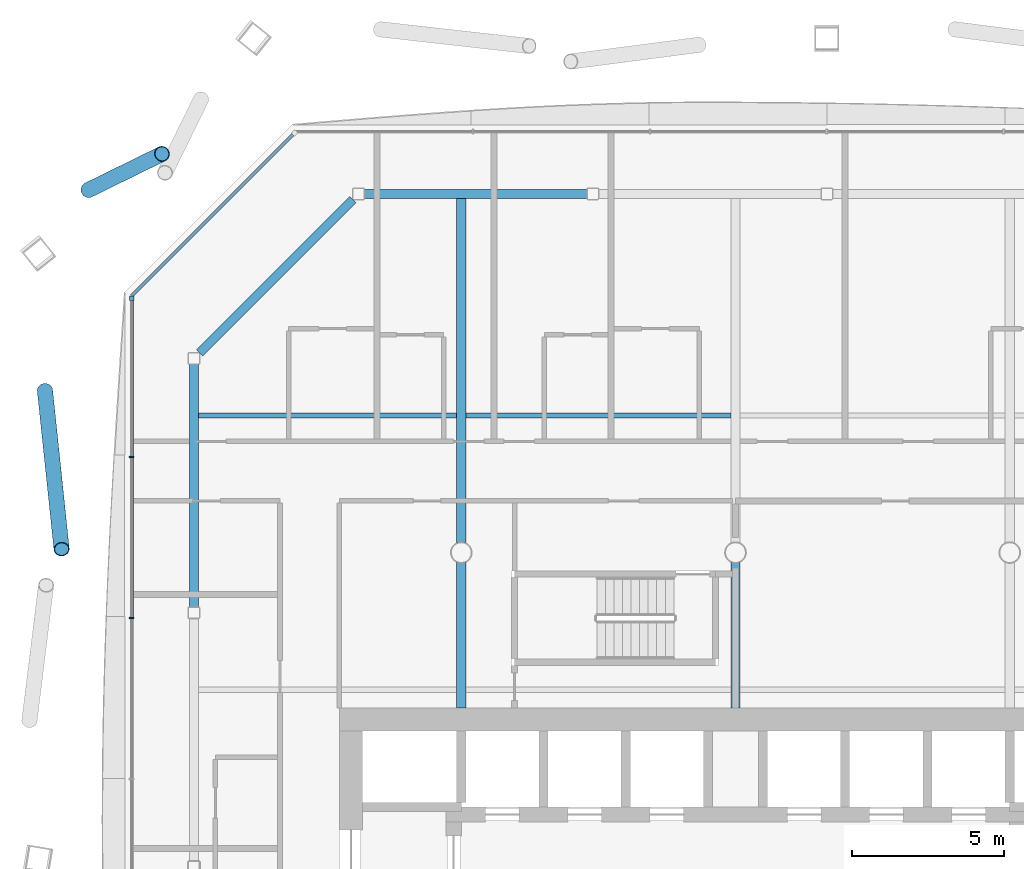
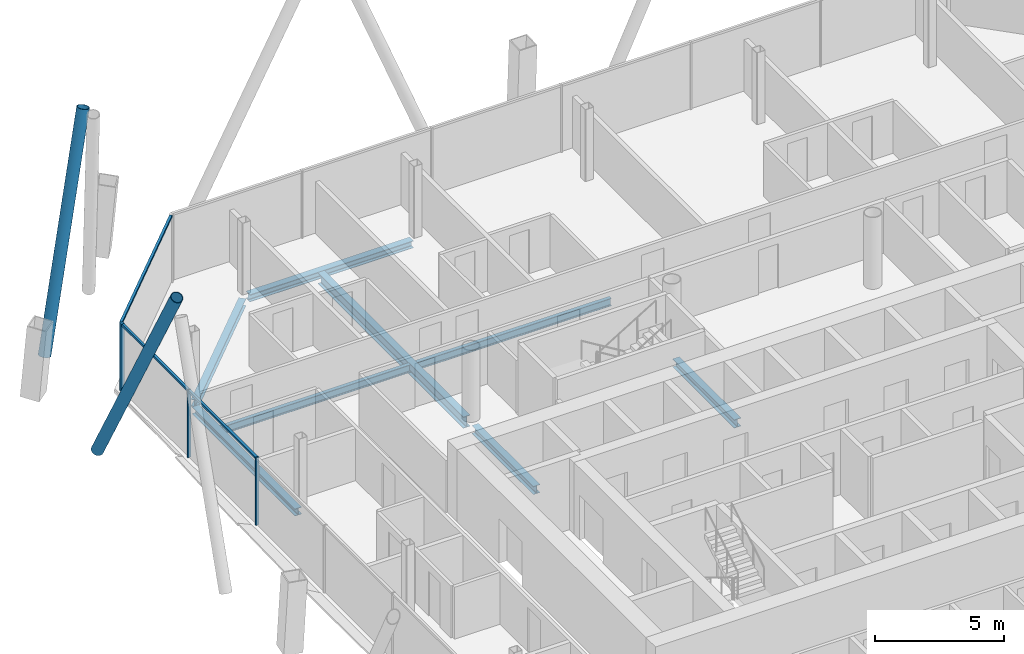
# One storey, part 9 of 23: 8 beams, 8 members, 2 elements without a shape of their own.
"""IFC4 building model written with IfcOpenShell, lengths in metres."""

from ifc_helpers import new_model, si_unit, direction, frame, origin, origin_2d, place, context, subcontext, project, spatial, rectangle, hollow_circle, i_section, extrude, material, material_profile, profile_set, type_object, element, aggregate, save


model = new_model("IFC4")

# Units and contexts
model_context = context("Model", 3, precision=1e-05, world=origin(), true_north=direction((0.0, 1.0)))
body_context = subcontext(model_context, "Body", "Model", "MODEL_VIEW")
ifc_project = project(units=[si_unit("LENGTHUNIT", "METRE"), si_unit("AREAUNIT", "SQUARE_METRE"), si_unit("VOLUMEUNIT", "CUBIC_METRE"), si_unit("PLANEANGLEUNIT", "RADIAN"), si_unit("MASSUNIT", "GRAM", prefix="KILO")], contexts=[model_context])

# Site, building, storey
site_placement = place(None, origin())
site = spatial("IfcSite", under=ifc_project, at=site_placement, CompositionType="ELEMENT")
building_placement = place(site_placement, origin())
building = spatial("IfcBuilding", under=site, at=building_placement, Name="Tskaro Facet Tower", CompositionType="ELEMENT")
storey_placement = place(building_placement, frame((0.0, 0.0, 131.699951171875)))
storey = spatial("IfcBuildingStorey", under=building, at=storey_placement, Name="L31", CompositionType="ELEMENT", Elevation=131.699951171875)

# Members
ifc_material_1 = material(Name="Steel S355J2H", Category="steel")
ifc_material_profile_1 = material_profile(ifc_material_1, hollow_circle(Radius=0.25390625, WallThickness=0.02490234375, at=origin_2d()), Name="CHS 508x25")
ifc_profile_set_1 = profile_set([ifc_material_profile_1], Name="Steel S355J2H")
member_type_1 = type_object("IfcMemberType", Name="CHS 508x25 brace", PredefinedType="BRACE", material=ifc_profile_set_1)
member_1_placement = place(storey_placement, frame((-21.234619140625, 20.902099609375, 0.0), z_axis=(0.228679127936, 0.112302745825, 0.967002559317), x_axis=(-0.440806291115, 0.897602258082, 0.0)))
element("IfcMember", 1, at=member_1_placement, inside=storey, type_object=member_type_1, Name="CHS 508x25 XB09B/3", PredefinedType="BRACE", context=body_context, shape_type="SweptSolid", body=[
    extrude(hollow_circle(Radius=0.25390625, WallThickness=0.02490234375, at=origin_2d()), origin(), (0.0, 0.0, 1.0), 10.548095703125),
])
member_2_placement = place(storey_placement, frame((-22.665283203125, 14.324462890625, 0.0), z_axis=(0.047771572711, -0.454596329618, 0.889415568752), x_axis=(0.994523811682, 0.104510229157, 0.0)))
element("IfcMember", 2, at=member_2_placement, inside=storey, type_object=member_type_1, Name="CHS 508x25 XB10A/3", PredefinedType="BRACE", context=body_context, shape_type="SweptSolid", body=[
    extrude(hollow_circle(Radius=0.25390625, WallThickness=0.02490234375, at=origin_2d()), origin(), (0.0, 0.0, 1.0), 11.46826171875),
])

# Curtain wall, members
ifc_material_2 = material(Name="Bronze anodised aluminium 6063-T6", Category="aluminium")
curtain_wall_type = type_object("IfcCurtainWallType", Name="Bronze hotel curtain wall (FW2)", PredefinedType="NOTDEFINED", material=ifc_material_2)
curtain_wall_1_placement = place(storey_placement, origin())
curtain_wall_1 = element("IfcCurtainWall", 3, at=curtain_wall_1_placement, inside=storey, type_object=curtain_wall_type, Name="FW2 west facet L31", PredefinedType="NOTDEFINED")
ifc_material_profile_2 = material_profile(ifc_material_2, rectangle(XDim=0.14990234375, YDim=0.14990234375, at=origin_2d()), Name="Corner post 150x150")
ifc_profile_set_2 = profile_set([ifc_material_profile_2], Name="Bronze anodised aluminium 6063-T6")
member_type_2 = type_object("IfcMemberType", Name="FW2 bronze corner post 150x150", PredefinedType="MULLION", material=ifc_profile_set_2)
member_3_placement = place(storey_placement, frame((-19.820068359375, 17.346923828125, 0.0), z_axis=(0.0, 0.0, 1.0), x_axis=(0.0, -1.0, 0.0)))
member_3 = element("IfcMember", 4, at=member_3_placement, type_object=member_type_2, Name="FW2 west corner post", PredefinedType="MULLION", context=body_context, shape_type="SweptSolid", body=[
    extrude(rectangle(XDim=0.14990234375, YDim=0.14990234375, at=origin_2d()), origin(), (0.0, 0.0, 1.0), 3.199951171875),
])
ifc_material_profile_3 = material_profile(ifc_material_2, rectangle(XDim=0.06005859375, YDim=0.14990234375, at=origin_2d()), Name="Mullion 60x150")
ifc_profile_set_3 = profile_set([ifc_material_profile_3], Name="Bronze anodised aluminium 6063-T6")
member_type_3 = type_object("IfcMemberType", Name="FW2 bronze mullion 60x150", PredefinedType="MULLION", material=ifc_profile_set_3)
member_4_placement = place(storey_placement, frame((-19.820068359375, 12.136962890625, 0.0), z_axis=(0.0, 0.0, 1.0), x_axis=(0.0, -1.0, 0.0)))
member_4 = element("IfcMember", 5, at=member_4_placement, type_object=member_type_3, Name="FW2 west mullion 1", PredefinedType="MULLION", context=body_context, shape_type="SweptSolid", body=[
    extrude(rectangle(XDim=0.06005859375, YDim=0.14990234375, at=origin_2d()), origin(), (0.0, 0.0, 1.0), 3.199951171875),
])
member_5_placement = place(storey_placement, frame((-19.820068359375, 6.851806640625, 0.0), z_axis=(0.0, 0.0, 1.0), x_axis=(0.0, -1.0, 0.0)))
member_5 = element("IfcMember", 6, at=member_5_placement, type_object=member_type_3, Name="FW2 west mullion 2", PredefinedType="MULLION", context=body_context, shape_type="SweptSolid", body=[
    extrude(rectangle(XDim=0.06005859375, YDim=0.14990234375, at=origin_2d()), origin(), (0.0, 0.0, 1.0), 3.199951171875),
])

# Curtain wall, member
curtain_wall_2_placement = place(storey_placement, origin())
curtain_wall_2 = element("IfcCurtainWall", 7, at=curtain_wall_2_placement, inside=storey, type_object=curtain_wall_type, Name="FW2 north-west facet L31", PredefinedType="NOTDEFINED")
ifc_material_profile_4 = material_profile(ifc_material_2, rectangle(XDim=0.110107421875, YDim=0.10009765625, at=origin_2d()), Name="Transom 110x100")
ifc_profile_set_4 = profile_set([ifc_material_profile_4], Name="Bronze anodised aluminium 6063-T6")
member_type_4 = type_object("IfcMemberType", Name="FW2 bronze transom 110x100", PredefinedType="USERDEFINED", material=ifc_profile_set_4)
member_6_placement = place(storey_placement, frame((-14.528076171875, 22.7138671875, 3.150146484375), z_axis=(-0.707123092197, -0.7070904698, 0.0), x_axis=(0.7070904698, -0.707123092197, 0.0)))
member_6 = element("IfcMember", 8, at=member_6_placement, type_object=member_type_4, Name="FW2 north-west transom 1.1", ObjectType="TRANSOM", PredefinedType="USERDEFINED", context=body_context, shape_type="SweptSolid", body=[
    extrude(rectangle(XDim=0.110107421875, YDim=0.10009765625, at=origin_2d()), origin(), (0.0, 0.0, 1.0), 7.48388671875),
])
aggregate(curtain_wall_2, [member_6])

# Member
member_7_placement = place(storey_placement, frame((-19.820068359375, 17.27197265625, 3.150146484375), z_axis=(0.0, -1.0, 0.0), x_axis=(1.0, 0.0, 0.0)))
member_7 = element("IfcMember", 9, at=member_7_placement, type_object=member_type_4, Name="FW2 west transom 1.1", ObjectType="TRANSOM", PredefinedType="USERDEFINED", context=body_context, shape_type="SweptSolid", body=[
    extrude(rectangle(XDim=0.110107421875, YDim=0.10009765625, at=origin_2d()), origin(), (0.0, 0.0, 1.0), 5.105224609375),
])

member_8_placement = place(storey_placement, frame((-19.820068359375, 12.10693359375, 3.150146484375), z_axis=(0.0, -1.0, 0.0), x_axis=(1.0, 0.0, 0.0)))
member_8 = element("IfcMember", 10, at=member_8_placement, type_object=member_type_4, Name="FW2 west transom 2.1", ObjectType="TRANSOM", PredefinedType="USERDEFINED", context=body_context, shape_type="SweptSolid", body=[
    extrude(rectangle(XDim=0.110107421875, YDim=0.10009765625, at=origin_2d()), origin(), (0.0, 0.0, 1.0), 5.22509765625),
])

aggregate(curtain_wall_1, [member_3, member_4, member_5, member_7, member_8])

# Beams
ifc_material_3 = material(Name="Steel S355J2", Category="steel")
ifc_material_profile_5 = material_profile(ifc_material_3, i_section(OverallWidth=0.300048828125, OverallDepth=0.340087890625, WebThickness=0.011962890625, FlangeThickness=0.021484375, FilletRadius=0.027099609375, at=origin_2d()), Name="HE 340 B")
ifc_profile_set_5 = profile_set([ifc_material_profile_5], Name="Steel S355J2")
beam_type_1 = type_object("IfcBeamType", Name="HE 340 B ring beam", PredefinedType="BEAM", material=ifc_profile_set_5)
beam_1_placement = place(storey_placement, frame((-4.864013671875, 20.77392578125, -0.31005859375), z_axis=(-1.0, 0.0, 0.0), x_axis=(0.0, -1.0, 0.0)))
element("IfcBeam", 11, at=beam_1_placement, inside=storey, type_object=beam_type_1, Name="HE 340 B EB14-3", PredefinedType="BEAM", context=body_context, shape_type="SweptSolid", body=[
    extrude(i_section(OverallWidth=0.300048828125, OverallDepth=0.340087890625, WebThickness=0.011962890625, FlangeThickness=0.021484375, FilletRadius=0.027099609375, at=origin_2d()), origin(), (0.0, 0.0, 1.0), 7.323974609375),
])
beam_2_placement = place(storey_placement, frame((-12.553955078125, 20.588134765625, -0.31005859375), z_axis=(-0.707106781187, -0.707106781187, 0.0), x_axis=(0.707106781187, -0.707106781187, 0.0)))
element("IfcBeam", 12, at=beam_2_placement, inside=storey, type_object=beam_type_1, Name="HE 340 B EB15-3", PredefinedType="BEAM", context=body_context, shape_type="SweptSolid", body=[
    extrude(i_section(OverallWidth=0.300048828125, OverallDepth=0.340087890625, WebThickness=0.011962890625, FlangeThickness=0.021484375, FilletRadius=0.027099609375, at=origin_2d()), origin(), (0.0, 0.0, 1.0), 7.119384765625),
])
beam_3_placement = place(storey_placement, frame((-17.77392578125, 15.18798828125, -0.31005859375), z_axis=(0.0, -1.0, 0.0), x_axis=(1.0, 0.0, 0.0)))
element("IfcBeam", 13, at=beam_3_placement, inside=storey, type_object=beam_type_1, Name="HE 340 B EB16-3", PredefinedType="BEAM", context=body_context, shape_type="SweptSolid", body=[
    extrude(i_section(OverallWidth=0.300048828125, OverallDepth=0.340087890625, WebThickness=0.011962890625, FlangeThickness=0.021484375, FilletRadius=0.027099609375, at=origin_2d()), origin(), (0.0, 0.0, 1.0), 7.98193359375),
])
ifc_material_profile_6 = material_profile(ifc_material_3, i_section(OverallWidth=0.300048828125, OverallDepth=0.389892578125, WebThickness=0.010986328125, FlangeThickness=0.01904296875, FilletRadius=0.027099609375, at=origin_2d()), Name="HE 400 A")
ifc_profile_set_6 = profile_set([ifc_material_profile_6], Name="Steel S355J2")
beam_type_2 = type_object("IfcBeamType", Name="HE 400 A girder", PredefinedType="BEAM", material=ifc_profile_set_6)
for number, where, z_axis, x_axis, name in (
    (14, (-9.0, 3.89990234375, -0.3349609375), (0.0, 1.0, 0.0), (-1.0, 0.0, 0.0), "HE 400 A GB3-2-3"),
    (15, (0.0, 3.89990234375, -0.3349609375), (0.0, 1.0, 0.0), (-1.0, 0.0, 0.0), "HE 400 A GB4-2-3"),
):
    element("IfcBeam", number, at=place(storey_placement, frame(where, z_axis=z_axis, x_axis=x_axis)), inside=storey, type_object=beam_type_2, Name=name, PredefinedType="BEAM", context=body_context, shape_type="SweptSolid", body=[
        extrude(i_section(OverallWidth=0.300048828125, OverallDepth=0.389892578125, WebThickness=0.010986328125, FlangeThickness=0.01904296875, FilletRadius=0.027099609375, at=origin_2d()), origin(), (0.0, 0.0, 1.0), 4.774658203125),
    ])
ifc_material_profile_7 = material_profile(ifc_material_3, i_section(OverallWidth=0.300048828125, OverallDepth=0.5400390625, WebThickness=0.012451171875, FlangeThickness=0.02392578125, FilletRadius=0.027099609375, at=origin_2d()), Name="HE 550 A")
ifc_profile_set_7 = profile_set([ifc_material_profile_7], Name="Steel S355J2")
beam_type_3 = type_object("IfcBeamType", Name="HE 550 A long girder", PredefinedType="BEAM", material=ifc_profile_set_7)
beam_4_placement = place(storey_placement, frame((-9.0, 9.325439453125, -0.409912109375), z_axis=(0.0, 1.0, 0.0), x_axis=(-1.0, 0.0, 0.0)))
element("IfcBeam", 16, at=beam_4_placement, inside=storey, type_object=beam_type_3, Name="HE 550 A LGB3-3-3", PredefinedType="BEAM", context=body_context, shape_type="SweptSolid", body=[
    extrude(i_section(OverallWidth=0.300048828125, OverallDepth=0.5400390625, WebThickness=0.012451171875, FlangeThickness=0.02392578125, FilletRadius=0.027099609375, at=origin_2d()), origin(), (0.0, 0.0, 1.0), 11.298583984375),
])
ifc_material_profile_8 = material_profile(ifc_material_3, i_section(OverallWidth=0.169921875, OverallDepth=0.360107421875, WebThickness=0.008056640625, FlangeThickness=0.0126953125, FilletRadius=0.01806640625, at=origin_2d()), Name="IPE 360")
ifc_profile_set_8 = profile_set([ifc_material_profile_8], Name="Steel S355J2")
beam_type_4 = type_object("IfcBeamType", Name="IPE 360 secondary beam", PredefinedType="BEAM", material=ifc_profile_set_8)
beam_5_placement = place(storey_placement, frame((-17.6240234375, 13.5, -0.320068359375), z_axis=(1.0, 0.0, 0.0), x_axis=(0.0, 1.0, 0.0)))
element("IfcBeam", 17, at=beam_5_placement, inside=storey, type_object=beam_type_4, Name="IPE 360 SB5a-1-3", PredefinedType="BEAM", context=body_context, shape_type="SweptSolid", body=[
    extrude(i_section(OverallWidth=0.169921875, OverallDepth=0.360107421875, WebThickness=0.008056640625, FlangeThickness=0.0126953125, FilletRadius=0.01806640625, at=origin_2d()), origin(), (0.0, 0.0, 1.0), 8.47412109375),
])
beam_6_placement = place(storey_placement, frame((-8.85009765625, 13.5, -0.320068359375), z_axis=(1.0, 0.0, 0.0), x_axis=(0.0, 1.0, 0.0)))
element("IfcBeam", 18, at=beam_6_placement, inside=storey, type_object=beam_type_4, Name="IPE 360 SB5a-2-3", PredefinedType="BEAM", context=body_context, shape_type="SweptSolid", body=[
    extrude(i_section(OverallWidth=0.169921875, OverallDepth=0.360107421875, WebThickness=0.008056640625, FlangeThickness=0.0126953125, FilletRadius=0.01806640625, at=origin_2d()), origin(), (0.0, 0.0, 1.0), 8.7001953125),
])

save(model, "model.ifc")
